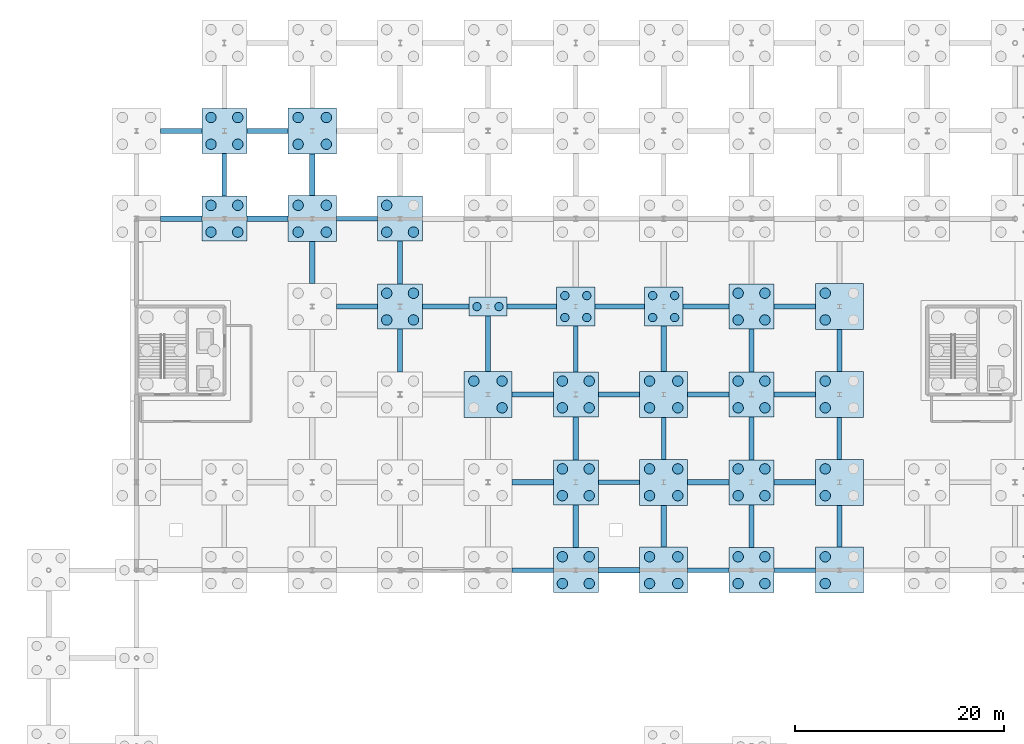
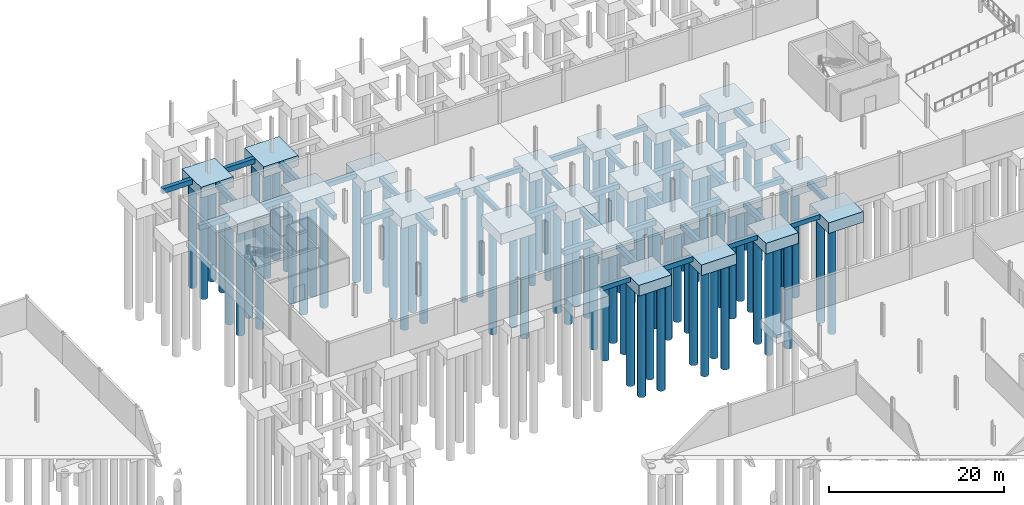
# One storey, part 7 of 51: 84 piles, 65 footings.
"""IFC4 building model written with IfcOpenShell, lengths in metres."""

from ifc_helpers import new_model, si_unit, direction, frame, origin, origin_2d, place, context, subcontext, project, spatial, rectangle, circle, extrude, material, material_profile, profile_set, type_object, element, save


model = new_model("IFC4")

# Units and contexts
model_context = context("Model", 3, precision=1e-05, world=origin(), true_north=direction((0.0, 1.0)))
body_context = subcontext(model_context, "Body", "Model", "MODEL_VIEW")
ifc_project = project(units=[si_unit("LENGTHUNIT", "METRE"), si_unit("AREAUNIT", "SQUARE_METRE"), si_unit("VOLUMEUNIT", "CUBIC_METRE"), si_unit("PLANEANGLEUNIT", "RADIAN"), si_unit("MASSUNIT", "GRAM", prefix="KILO")], contexts=[model_context])

# Site, building, storey
site_placement = place(None, origin())
site = spatial("IfcSite", under=ifc_project, at=site_placement, CompositionType="ELEMENT")
building_placement = place(site_placement, origin())
building = spatial("IfcBuilding", under=site, at=building_placement, Name="Qalvenar Corner Mobility Hub", CompositionType="ELEMENT")
storey_placement = place(building_placement, frame((0.0, 0.0, -4.5)))
storey = spatial("IfcBuildingStorey", under=building, at=storey_placement, Name="B1", CompositionType="ELEMENT", Elevation=-4.5)

# Footings
ifc_material = material(Name="Concrete C40/50", Category="concrete")
footing_type_1 = type_object("IfcFootingType", Name="PC-24X24X12", PredefinedType="PILE_CAP", material=ifc_material)
footing_1_placement = place(storey_placement, frame((92.39990234375, 92.39990234375, -1.5498046875), z_axis=(0.0, 0.0, 1.0), x_axis=(1.0, 0.0, 0.0)))
element("IfcFooting", 1, at=footing_1_placement, inside=storey, type_object=footing_type_1, Name="Pile Cap G12-11", PredefinedType="PILE_CAP", context=body_context, shape_type="SweptSolid", body=[
    extrude(rectangle(XDim=3.60009765625, YDim=1.800048828125, at=origin_2d()), origin(), (0.0, 0.0, 1.0), 1.199951171875),
])
footing_type_2 = type_object("IfcFootingType", Name="PC-28X28X12", PredefinedType="PILE_CAP", material=ifc_material)
for number, where, z_axis, x_axis, name in (
    (2, (100.800048828125, 92.39990234375, -1.5498046875), (0.0, 0.0, 1.0), (1.0, 0.0, 0.0), "Pile Cap G13-11"),
    (3, (109.199951171875, 92.39990234375, -1.5498046875), (0.0, 0.0, 1.0), (1.0, 0.0, 0.0), "Pile Cap G14-11"),
):
    element("IfcFooting", number, at=place(storey_placement, frame(where, z_axis=z_axis, x_axis=x_axis)), inside=storey, type_object=footing_type_2, Name=name, PredefinedType="PILE_CAP", context=body_context, shape_type="SweptSolid", body=[
        extrude(rectangle(XDim=3.699951171875, YDim=3.699951171875, at=origin_2d()), origin(), (0.0, 0.0, 1.0), 1.199951171875),
    ])
footing_type_3 = type_object("IfcFootingType", Name="PC-38X38X15", PredefinedType="PILE_CAP", material=ifc_material)
for number, where, z_axis, x_axis, name in (
    (4, (67.199951171875, 100.800048828125, -1.85009765625), (0.0, 0.0, 1.0), (1.0, 0.0, 0.0), "Pile Cap G9-12"),
    (5, (67.199951171875, 109.199951171875, -1.85009765625), (0.0, 0.0, 1.0), (1.0, 0.0, 0.0), "Pile Cap G9-13"),
    (6, (84.0, 92.39990234375, -1.85009765625), (0.0, 0.0, 1.0), (1.0, 0.0, 0.0), "Pile Cap G11-11"),
    (7, (84.0, 100.800048828125, -1.85009765625), (0.0, 0.0, 1.0), (1.0, 0.0, 0.0), "Pile Cap G11-12"),
    (8, (100.800048828125, 67.199951171875, -1.85009765625), (0.0, 0.0, 1.0), (1.0, 0.0, 0.0), "Pile Cap G13-8"),
    (9, (100.800048828125, 75.60009765625, -1.85009765625), (0.0, 0.0, 1.0), (1.0, 0.0, 0.0), "Pile Cap G13-9"),
    (10, (100.800048828125, 84.0, -1.85009765625), (0.0, 0.0, 1.0), (1.0, 0.0, 0.0), "Pile Cap G13-10"),
    (11, (117.60009765625, 67.199951171875, -1.85009765625), (0.0, 0.0, 1.0), (1.0, 0.0, 0.0), "Pile Cap G15-8"),
    (12, (117.60009765625, 75.60009765625, -1.85009765625), (0.0, 0.0, 1.0), (1.0, 0.0, 0.0), "Pile Cap G15-9"),
    (13, (117.60009765625, 84.0, -1.85009765625), (0.0, 0.0, 1.0), (1.0, 0.0, 0.0), "Pile Cap G15-10"),
    (14, (117.60009765625, 92.39990234375, -1.85009765625), (0.0, 0.0, 1.0), (1.0, 0.0, 0.0), "Pile Cap G15-11"),
):
    element("IfcFooting", number, at=place(storey_placement, frame(where, z_axis=z_axis, x_axis=x_axis)), inside=storey, type_object=footing_type_3, Name=name, PredefinedType="PILE_CAP", context=body_context, shape_type="SweptSolid", body=[
        extrude(rectangle(XDim=4.300048828125, YDim=4.300048828125, at=origin_2d()), origin(), (0.0, 0.0, 1.0), 1.5),
    ])
footing_type_4 = type_object("IfcFootingType", Name="PC-42X32X15", PredefinedType="PILE_CAP", material=ifc_material)
for number, where, z_axis, x_axis, name in (
    (15, (75.60009765625, 100.800048828125, -1.85009765625), (0.0, 0.0, 1.0), (1.0, 0.0, 0.0), "Pile Cap G10-12"),
    (16, (75.60009765625, 109.199951171875, -1.85009765625), (0.0, 0.0, 1.0), (1.0, 0.0, 0.0), "Pile Cap G10-13"),
    (17, (92.39990234375, 84.0, -1.85009765625), (0.0, 0.0, 1.0), (1.0, 0.0, 0.0), "Pile Cap G12-10"),
    (18, (109.199951171875, 67.199951171875, -1.85009765625), (0.0, 0.0, 1.0), (1.0, 0.0, 0.0), "Pile Cap G14-8"),
    (19, (109.199951171875, 75.60009765625, -1.85009765625), (0.0, 0.0, 1.0), (1.0, 0.0, 0.0), "Pile Cap G14-9"),
    (20, (109.199951171875, 84.0, -1.85009765625), (0.0, 0.0, 1.0), (1.0, 0.0, 0.0), "Pile Cap G14-10"),
    (21, (126.0, 67.199951171875, -1.85009765625), (0.0, 0.0, 1.0), (1.0, 0.0, 0.0), "Pile Cap G16-8"),
    (22, (126.0, 75.60009765625, -1.85009765625), (0.0, 0.0, 1.0), (1.0, 0.0, 0.0), "Pile Cap G16-9"),
    (23, (126.0, 84.0, -1.85009765625), (0.0, 0.0, 1.0), (1.0, 0.0, 0.0), "Pile Cap G16-10"),
    (24, (126.0, 92.39990234375, -1.85009765625), (0.0, 0.0, 1.0), (1.0, 0.0, 0.0), "Pile Cap G16-11"),
):
    element("IfcFooting", number, at=place(storey_placement, frame(where, z_axis=z_axis, x_axis=x_axis)), inside=storey, type_object=footing_type_4, Name=name, PredefinedType="PILE_CAP", context=body_context, shape_type="SweptSolid", body=[
        extrude(rectangle(XDim=4.60009765625, YDim=4.39990234375, at=origin_2d()), origin(), (0.0, 0.0, 1.0), 1.5),
    ])

# Piles
ifc_material_profile_1 = material_profile(ifc_material, circle(Radius=0.5, at=origin_2d()), Name="DIA1000")
ifc_profile_set_1 = profile_set([ifc_material_profile_1], Name="Concrete C40/50")
pile_type_1 = type_object("IfcPileType", Name="PILE-1000", PredefinedType="BORED", material=ifc_profile_set_1)
for number, where, z_axis, x_axis, name in (
    (25, (65.919921875, 99.52001953125, -1.699951171875), (0.0, 0.0, -1.0), (1.0, 0.0, 0.0), "Bored Pile G9-12-1"),
    (26, (65.919921875, 102.080078125, -1.699951171875), (0.0, 0.0, -1.0), (1.0, 0.0, 0.0), "Bored Pile G9-12-2"),
    (27, (68.47998046875, 99.52001953125, -1.699951171875), (0.0, 0.0, -1.0), (1.0, 0.0, 0.0), "Bored Pile G9-12-3"),
    (28, (68.47998046875, 102.080078125, -1.699951171875), (0.0, 0.0, -1.0), (1.0, 0.0, 0.0), "Bored Pile G9-12-4"),
    (29, (65.919921875, 107.919921875, -1.699951171875), (0.0, 0.0, -1.0), (1.0, 0.0, 0.0), "Bored Pile G9-13-1"),
    (30, (65.919921875, 110.47998046875, -1.699951171875), (0.0, 0.0, -1.0), (1.0, 0.0, 0.0), "Bored Pile G9-13-2"),
    (31, (68.47998046875, 107.919921875, -1.699951171875), (0.0, 0.0, -1.0), (1.0, 0.0, 0.0), "Bored Pile G9-13-3"),
    (32, (68.47998046875, 110.47998046875, -1.699951171875), (0.0, 0.0, -1.0), (1.0, 0.0, 0.0), "Bored Pile G9-13-4"),
    (33, (74.25, 99.52001953125, -1.699951171875), (0.0, 0.0, -1.0), (1.0, 0.0, 0.0), "Bored Pile G10-12-1"),
    (34, (74.25, 102.080078125, -1.699951171875), (0.0, 0.0, -1.0), (1.0, 0.0, 0.0), "Bored Pile G10-12-2"),
    (35, (76.949951171875, 99.52001953125, -1.699951171875), (0.0, 0.0, -1.0), (1.0, 0.0, 0.0), "Bored Pile G10-12-3"),
    (36, (76.949951171875, 102.080078125, -1.699951171875), (0.0, 0.0, -1.0), (1.0, 0.0, 0.0), "Bored Pile G10-12-4"),
    (37, (74.25, 107.919921875, -1.699951171875), (0.0, 0.0, -1.0), (1.0, 0.0, 0.0), "Bored Pile G10-13-1"),
    (38, (74.25, 110.47998046875, -1.699951171875), (0.0, 0.0, -1.0), (1.0, 0.0, 0.0), "Bored Pile G10-13-2"),
    (39, (76.949951171875, 107.919921875, -1.699951171875), (0.0, 0.0, -1.0), (1.0, 0.0, 0.0), "Bored Pile G10-13-3"),
    (40, (76.949951171875, 110.47998046875, -1.699951171875), (0.0, 0.0, -1.0), (1.0, 0.0, 0.0), "Bored Pile G10-13-4"),
    (41, (82.719970703125, 91.1201171875, -1.699951171875), (0.0, 0.0, -1.0), (1.0, 0.0, 0.0), "Bored Pile G11-11-1"),
    (42, (82.719970703125, 93.679931640625, -1.699951171875), (0.0, 0.0, -1.0), (1.0, 0.0, 0.0), "Bored Pile G11-11-2"),
    (43, (85.280029296875, 91.1201171875, -1.699951171875), (0.0, 0.0, -1.0), (1.0, 0.0, 0.0), "Bored Pile G11-11-3"),
    (44, (85.280029296875, 93.679931640625, -1.699951171875), (0.0, 0.0, -1.0), (1.0, 0.0, 0.0), "Bored Pile G11-11-4"),
    (45, (82.719970703125, 99.52001953125, -1.699951171875), (0.0, 0.0, -1.0), (1.0, 0.0, 0.0), "Bored Pile G11-12-1"),
    (46, (82.719970703125, 102.080078125, -1.699951171875), (0.0, 0.0, -1.0), (1.0, 0.0, 0.0), "Bored Pile G11-12-2"),
    (47, (85.280029296875, 99.52001953125, -1.699951171875), (0.0, 0.0, -1.0), (1.0, 0.0, 0.0), "Bored Pile G11-12-3"),
    (48, (91.050048828125, 85.280029296875, -1.699951171875), (0.0, 0.0, -1.0), (1.0, 0.0, 0.0), "Bored Pile G12-10-2"),
    (49, (93.75, 82.719970703125, -1.699951171875), (0.0, 0.0, -1.0), (1.0, 0.0, 0.0), "Bored Pile G12-10-3"),
    (50, (93.75, 85.280029296875, -1.699951171875), (0.0, 0.0, -1.0), (1.0, 0.0, 0.0), "Bored Pile G12-10-4"),
    (51, (99.52001953125, 65.919921875, -1.699951171875), (0.0, 0.0, -1.0), (1.0, 0.0, 0.0), "Bored Pile G13-8-1"),
    (52, (99.52001953125, 68.47998046875, -1.699951171875), (0.0, 0.0, -1.0), (1.0, 0.0, 0.0), "Bored Pile G13-8-2"),
    (53, (102.080078125, 65.919921875, -1.699951171875), (0.0, 0.0, -1.0), (1.0, 0.0, 0.0), "Bored Pile G13-8-3"),
    (54, (102.080078125, 68.47998046875, -1.699951171875), (0.0, 0.0, -1.0), (1.0, 0.0, 0.0), "Bored Pile G13-8-4"),
    (55, (99.52001953125, 74.320068359375, -1.699951171875), (0.0, 0.0, -1.0), (1.0, 0.0, 0.0), "Bored Pile G13-9-1"),
    (56, (99.52001953125, 76.8798828125, -1.699951171875), (0.0, 0.0, -1.0), (1.0, 0.0, 0.0), "Bored Pile G13-9-2"),
    (57, (102.080078125, 74.320068359375, -1.699951171875), (0.0, 0.0, -1.0), (1.0, 0.0, 0.0), "Bored Pile G13-9-3"),
    (58, (102.080078125, 76.8798828125, -1.699951171875), (0.0, 0.0, -1.0), (1.0, 0.0, 0.0), "Bored Pile G13-9-4"),
    (59, (99.52001953125, 82.719970703125, -1.699951171875), (0.0, 0.0, -1.0), (1.0, 0.0, 0.0), "Bored Pile G13-10-1"),
    (60, (99.52001953125, 85.280029296875, -1.699951171875), (0.0, 0.0, -1.0), (1.0, 0.0, 0.0), "Bored Pile G13-10-2"),
    (61, (102.080078125, 82.719970703125, -1.699951171875), (0.0, 0.0, -1.0), (1.0, 0.0, 0.0), "Bored Pile G13-10-3"),
    (62, (102.080078125, 85.280029296875, -1.699951171875), (0.0, 0.0, -1.0), (1.0, 0.0, 0.0), "Bored Pile G13-10-4"),
    (63, (107.85009765625, 65.919921875, -1.699951171875), (0.0, 0.0, -1.0), (1.0, 0.0, 0.0), "Bored Pile G14-8-1"),
    (64, (107.85009765625, 68.47998046875, -1.699951171875), (0.0, 0.0, -1.0), (1.0, 0.0, 0.0), "Bored Pile G14-8-2"),
    (65, (110.550048828125, 65.919921875, -1.699951171875), (0.0, 0.0, -1.0), (1.0, 0.0, 0.0), "Bored Pile G14-8-3"),
    (66, (110.550048828125, 68.47998046875, -1.699951171875), (0.0, 0.0, -1.0), (1.0, 0.0, 0.0), "Bored Pile G14-8-4"),
    (67, (107.85009765625, 74.320068359375, -1.699951171875), (0.0, 0.0, -1.0), (1.0, 0.0, 0.0), "Bored Pile G14-9-1"),
    (68, (107.85009765625, 76.8798828125, -1.699951171875), (0.0, 0.0, -1.0), (1.0, 0.0, 0.0), "Bored Pile G14-9-2"),
    (69, (110.550048828125, 74.320068359375, -1.699951171875), (0.0, 0.0, -1.0), (1.0, 0.0, 0.0), "Bored Pile G14-9-3"),
    (70, (110.550048828125, 76.8798828125, -1.699951171875), (0.0, 0.0, -1.0), (1.0, 0.0, 0.0), "Bored Pile G14-9-4"),
    (71, (107.85009765625, 82.719970703125, -1.699951171875), (0.0, 0.0, -1.0), (1.0, 0.0, 0.0), "Bored Pile G14-10-1"),
    (72, (107.85009765625, 85.280029296875, -1.699951171875), (0.0, 0.0, -1.0), (1.0, 0.0, 0.0), "Bored Pile G14-10-2"),
    (73, (110.550048828125, 82.719970703125, -1.699951171875), (0.0, 0.0, -1.0), (1.0, 0.0, 0.0), "Bored Pile G14-10-3"),
    (74, (110.550048828125, 85.280029296875, -1.699951171875), (0.0, 0.0, -1.0), (1.0, 0.0, 0.0), "Bored Pile G14-10-4"),
    (75, (116.320068359375, 65.919921875, -1.699951171875), (0.0, 0.0, -1.0), (1.0, 0.0, 0.0), "Bored Pile G15-8-1"),
    (76, (116.320068359375, 68.47998046875, -1.699951171875), (0.0, 0.0, -1.0), (1.0, 0.0, 0.0), "Bored Pile G15-8-2"),
    (77, (118.8798828125, 65.919921875, -1.699951171875), (0.0, 0.0, -1.0), (1.0, 0.0, 0.0), "Bored Pile G15-8-3"),
    (78, (118.8798828125, 68.47998046875, -1.699951171875), (0.0, 0.0, -1.0), (1.0, 0.0, 0.0), "Bored Pile G15-8-4"),
    (79, (116.320068359375, 74.320068359375, -1.699951171875), (0.0, 0.0, -1.0), (1.0, 0.0, 0.0), "Bored Pile G15-9-1"),
    (80, (116.320068359375, 76.8798828125, -1.699951171875), (0.0, 0.0, -1.0), (1.0, 0.0, 0.0), "Bored Pile G15-9-2"),
    (81, (118.8798828125, 74.320068359375, -1.699951171875), (0.0, 0.0, -1.0), (1.0, 0.0, 0.0), "Bored Pile G15-9-3"),
    (82, (118.8798828125, 76.8798828125, -1.699951171875), (0.0, 0.0, -1.0), (1.0, 0.0, 0.0), "Bored Pile G15-9-4"),
    (83, (116.320068359375, 82.719970703125, -1.699951171875), (0.0, 0.0, -1.0), (1.0, 0.0, 0.0), "Bored Pile G15-10-1"),
    (84, (116.320068359375, 85.280029296875, -1.699951171875), (0.0, 0.0, -1.0), (1.0, 0.0, 0.0), "Bored Pile G15-10-2"),
    (85, (118.8798828125, 82.719970703125, -1.699951171875), (0.0, 0.0, -1.0), (1.0, 0.0, 0.0), "Bored Pile G15-10-3"),
    (86, (118.8798828125, 85.280029296875, -1.699951171875), (0.0, 0.0, -1.0), (1.0, 0.0, 0.0), "Bored Pile G15-10-4"),
    (87, (116.320068359375, 91.1201171875, -1.699951171875), (0.0, 0.0, -1.0), (1.0, 0.0, 0.0), "Bored Pile G15-11-1"),
    (88, (116.320068359375, 93.679931640625, -1.699951171875), (0.0, 0.0, -1.0), (1.0, 0.0, 0.0), "Bored Pile G15-11-2"),
    (89, (118.8798828125, 91.1201171875, -1.699951171875), (0.0, 0.0, -1.0), (1.0, 0.0, 0.0), "Bored Pile G15-11-3"),
    (90, (118.8798828125, 93.679931640625, -1.699951171875), (0.0, 0.0, -1.0), (1.0, 0.0, 0.0), "Bored Pile G15-11-4"),
    (91, (124.64990234375, 65.919921875, -1.699951171875), (0.0, 0.0, -1.0), (1.0, 0.0, 0.0), "Bored Pile G16-8-1"),
    (92, (124.64990234375, 68.47998046875, -1.699951171875), (0.0, 0.0, -1.0), (1.0, 0.0, 0.0), "Bored Pile G16-8-2"),
    (93, (124.64990234375, 74.320068359375, -1.699951171875), (0.0, 0.0, -1.0), (1.0, 0.0, 0.0), "Bored Pile G16-9-1"),
    (94, (124.64990234375, 76.8798828125, -1.699951171875), (0.0, 0.0, -1.0), (1.0, 0.0, 0.0), "Bored Pile G16-9-2"),
    (95, (124.64990234375, 82.719970703125, -1.699951171875), (0.0, 0.0, -1.0), (1.0, 0.0, 0.0), "Bored Pile G16-10-1"),
    (96, (124.64990234375, 85.280029296875, -1.699951171875), (0.0, 0.0, -1.0), (1.0, 0.0, 0.0), "Bored Pile G16-10-2"),
    (97, (124.64990234375, 91.1201171875, -1.699951171875), (0.0, 0.0, -1.0), (1.0, 0.0, 0.0), "Bored Pile G16-11-1"),
    (98, (124.64990234375, 93.679931640625, -1.699951171875), (0.0, 0.0, -1.0), (1.0, 0.0, 0.0), "Bored Pile G16-11-2"),
):
    element("IfcPile", number, at=place(storey_placement, frame(where, z_axis=z_axis, x_axis=x_axis)), inside=storey, type_object=pile_type_1, Name=name, PredefinedType="BORED", context=body_context, shape_type="SweptSolid", body=[
        extrude(circle(Radius=0.5, at=origin_2d()), origin(), (0.0, 0.0, 1.0), 14.800048828125),
    ])
ifc_material_profile_2 = material_profile(ifc_material, circle(Radius=0.39990234375, at=origin_2d()), Name="DIA800")
ifc_profile_set_2 = profile_set([ifc_material_profile_2], Name="Concrete C40/50")
pile_type_2 = type_object("IfcPileType", Name="PILE-800", PredefinedType="BORED", material=ifc_profile_set_2)
for number, where, z_axis, x_axis, name in (
    (99, (91.35009765625, 92.39990234375, -1.39990234375), (0.0, 0.0, -1.0), (1.0, 0.0, 0.0), "Bored Pile G12-11-1"),
    (100, (93.449951171875, 92.39990234375, -1.39990234375), (0.0, 0.0, -1.0), (1.0, 0.0, 0.0), "Bored Pile G12-11-2"),
    (101, (99.75, 91.35009765625, -1.39990234375), (0.0, 0.0, -1.0), (1.0, 0.0, 0.0), "Bored Pile G13-11-1"),
    (102, (99.75, 93.449951171875, -1.39990234375), (0.0, 0.0, -1.0), (1.0, 0.0, 0.0), "Bored Pile G13-11-2"),
    (103, (101.85009765625, 91.35009765625, -1.39990234375), (0.0, 0.0, -1.0), (1.0, 0.0, 0.0), "Bored Pile G13-11-3"),
    (104, (101.85009765625, 93.449951171875, -1.39990234375), (0.0, 0.0, -1.0), (1.0, 0.0, 0.0), "Bored Pile G13-11-4"),
    (105, (108.14990234375, 91.35009765625, -1.39990234375), (0.0, 0.0, -1.0), (1.0, 0.0, 0.0), "Bored Pile G14-11-1"),
    (106, (108.14990234375, 93.449951171875, -1.39990234375), (0.0, 0.0, -1.0), (1.0, 0.0, 0.0), "Bored Pile G14-11-2"),
    (107, (110.25, 91.35009765625, -1.39990234375), (0.0, 0.0, -1.0), (1.0, 0.0, 0.0), "Bored Pile G14-11-3"),
    (108, (110.25, 93.449951171875, -1.39990234375), (0.0, 0.0, -1.0), (1.0, 0.0, 0.0), "Bored Pile G14-11-4"),
):
    element("IfcPile", number, at=place(storey_placement, frame(where, z_axis=z_axis, x_axis=x_axis)), inside=storey, type_object=pile_type_2, Name=name, PredefinedType="BORED", context=body_context, shape_type="SweptSolid", body=[
        extrude(circle(Radius=0.39990234375, at=origin_2d()), origin(), (0.0, 0.0, 1.0), 15.10009765625),
    ])

# Footings
ifc_material_profile_3 = material_profile(ifc_material, rectangle(XDim=0.449951171875, YDim=0.64990234375, at=origin_2d()), Name="RC450x650")
ifc_profile_set_3 = profile_set([ifc_material_profile_3], Name="Concrete C40/50")
footing_type_5 = type_object("IfcFootingType", Name="TB-450X650", PredefinedType="FOOTING_BEAM", material=ifc_profile_set_3)
footing_2_placement = place(storey_placement, frame((67.199951171875, 102.949951171875, -0.675048828125), z_axis=(0.0, 1.0, 0.0), x_axis=(-1.0, 0.0, 0.0)))
element("IfcFooting", 109, at=footing_2_placement, inside=storey, type_object=footing_type_5, Name="Foundation Tie Beam TB-132", PredefinedType="FOOTING_BEAM", context=body_context, shape_type="SweptSolid", body=[
    extrude(rectangle(XDim=0.449951171875, YDim=0.64990234375, at=origin_2d()), origin(), (0.0, 0.0, 1.0), 4.10009765625),
])
footing_3_placement = place(storey_placement, frame((77.89990234375, 100.800048828125, -0.675048828125), z_axis=(1.0, 0.0, 0.0), x_axis=(0.0, 1.0, 0.0)))
element("IfcFooting", 110, at=footing_3_placement, inside=storey, type_object=footing_type_5, Name="Foundation Tie Beam TB-153", PredefinedType="FOOTING_BEAM", context=body_context, shape_type="SweptSolid", body=[
    extrude(rectangle(XDim=0.449951171875, YDim=0.64990234375, at=origin_2d()), origin(), (0.0, 0.0, 1.0), 3.9501953125),
])
footing_4_placement = place(storey_placement, frame((84.0, 94.550048828125, -0.675048828125), z_axis=(0.0, 1.0, 0.0), x_axis=(-1.0, 0.0, 0.0)))
element("IfcFooting", 111, at=footing_4_placement, inside=storey, type_object=footing_type_5, Name="Foundation Tie Beam TB-174", PredefinedType="FOOTING_BEAM", context=body_context, shape_type="SweptSolid", body=[
    extrude(rectangle(XDim=0.449951171875, YDim=0.64990234375, at=origin_2d()), origin(), (0.0, 0.0, 1.0), 4.099853515625),
])
footing_5_placement = place(storey_placement, frame((94.699951171875, 67.199951171875, -0.675048828125), z_axis=(1.0, 0.0, 0.0), x_axis=(0.0, 1.0, 0.0)))
element("IfcFooting", 112, at=footing_5_placement, inside=storey, type_object=footing_type_5, Name="Foundation Tie Beam TB-189", PredefinedType="FOOTING_BEAM", context=body_context, shape_type="SweptSolid", body=[
    extrude(rectangle(XDim=0.449951171875, YDim=0.64990234375, at=origin_2d()), origin(), (0.0, 0.0, 1.0), 3.949951171875),
])
footing_6_placement = place(storey_placement, frame((94.199951171875, 92.39990234375, -0.675048828125), z_axis=(1.0, 0.0, 0.0), x_axis=(0.0, 1.0, 0.0)))
element("IfcFooting", 113, at=footing_6_placement, inside=storey, type_object=footing_type_5, Name="Foundation Tie Beam TB-195", PredefinedType="FOOTING_BEAM", context=body_context, shape_type="SweptSolid", body=[
    extrude(rectangle(XDim=0.449951171875, YDim=0.64990234375, at=origin_2d()), origin(), (0.0, 0.0, 1.0), 4.75),
])
footing_7_placement = place(storey_placement, frame((102.949951171875, 75.60009765625, -0.675048828125), z_axis=(1.0, 0.0, 0.0), x_axis=(0.0, 1.0, 0.0)))
element("IfcFooting", 114, at=footing_7_placement, inside=storey, type_object=footing_type_5, Name="Foundation Tie Beam TB-213", PredefinedType="FOOTING_BEAM", context=body_context, shape_type="SweptSolid", body=[
    extrude(rectangle(XDim=0.449951171875, YDim=0.64990234375, at=origin_2d()), origin(), (0.0, 0.0, 1.0), 3.949951171875),
])
footing_8_placement = place(storey_placement, frame((100.800048828125, 86.14990234375, -0.675048828125), z_axis=(0.0, 1.0, 0.0), x_axis=(-1.0, 0.0, 0.0)))
element("IfcFooting", 115, at=footing_8_placement, inside=storey, type_object=footing_type_5, Name="Foundation Tie Beam TB-216", PredefinedType="FOOTING_BEAM", context=body_context, shape_type="SweptSolid", body=[
    extrude(rectangle(XDim=0.449951171875, YDim=0.64990234375, at=origin_2d()), origin(), (0.0, 0.0, 1.0), 4.400146484375),
])
footing_9_placement = place(storey_placement, frame((111.5, 67.199951171875, -0.675048828125), z_axis=(1.0, 0.0, 0.0), x_axis=(0.0, 1.0, 0.0)))
element("IfcFooting", 116, at=footing_9_placement, inside=storey, type_object=footing_type_5, Name="Foundation Tie Beam TB-237", PredefinedType="FOOTING_BEAM", context=body_context, shape_type="SweptSolid", body=[
    extrude(rectangle(XDim=0.449951171875, YDim=0.64990234375, at=origin_2d()), origin(), (0.0, 0.0, 1.0), 3.949951171875),
])
footing_10_placement = place(storey_placement, frame((109.199951171875, 77.800048828125, -0.675048828125), z_axis=(0.0, 1.0, 0.0), x_axis=(-1.0, 0.0, 0.0)))
element("IfcFooting", 117, at=footing_10_placement, inside=storey, type_object=footing_type_5, Name="Foundation Tie Beam TB-240", PredefinedType="FOOTING_BEAM", context=body_context, shape_type="SweptSolid", body=[
    extrude(rectangle(XDim=0.449951171875, YDim=0.64990234375, at=origin_2d()), origin(), (0.0, 0.0, 1.0), 4.0),
])
footing_11_placement = place(storey_placement, frame((111.050048828125, 92.39990234375, -0.675048828125), z_axis=(1.0, 0.0, 0.0), x_axis=(0.0, 1.0, 0.0)))
element("IfcFooting", 118, at=footing_11_placement, inside=storey, type_object=footing_type_5, Name="Foundation Tie Beam TB-243", PredefinedType="FOOTING_BEAM", context=body_context, shape_type="SweptSolid", body=[
    extrude(rectangle(XDim=0.449951171875, YDim=0.64990234375, at=origin_2d()), origin(), (0.0, 0.0, 1.0), 4.39990234375),
])
footing_12_placement = place(storey_placement, frame((119.75, 67.199951171875, -0.675048828125), z_axis=(1.0, 0.0, 0.0), x_axis=(0.0, 1.0, 0.0)))
element("IfcFooting", 119, at=footing_12_placement, inside=storey, type_object=footing_type_5, Name="Foundation Tie Beam TB-261", PredefinedType="FOOTING_BEAM", context=body_context, shape_type="SweptSolid", body=[
    extrude(rectangle(XDim=0.449951171875, YDim=0.64990234375, at=origin_2d()), origin(), (0.0, 0.0, 1.0), 3.949951171875),
])
footing_13_placement = place(storey_placement, frame((117.60009765625, 77.75, -0.675048828125), z_axis=(0.0, 1.0, 0.0), x_axis=(-1.0, 0.0, 0.0)))
element("IfcFooting", 120, at=footing_13_placement, inside=storey, type_object=footing_type_5, Name="Foundation Tie Beam TB-264", PredefinedType="FOOTING_BEAM", context=body_context, shape_type="SweptSolid", body=[
    extrude(rectangle(XDim=0.449951171875, YDim=0.64990234375, at=origin_2d()), origin(), (0.0, 0.0, 1.0), 4.10009765625),
])
footing_14_placement = place(storey_placement, frame((119.75, 92.39990234375, -0.675048828125), z_axis=(1.0, 0.0, 0.0), x_axis=(0.0, 1.0, 0.0)))
element("IfcFooting", 121, at=footing_14_placement, inside=storey, type_object=footing_type_5, Name="Foundation Tie Beam TB-267", PredefinedType="FOOTING_BEAM", context=body_context, shape_type="SweptSolid", body=[
    extrude(rectangle(XDim=0.449951171875, YDim=0.64990234375, at=origin_2d()), origin(), (0.0, 0.0, 1.0), 3.949951171875),
])
footing_15_placement = place(storey_placement, frame((126.0, 77.800048828125, -0.675048828125), z_axis=(0.0, 1.0, 0.0), x_axis=(-1.0, 0.0, 0.0)))
element("IfcFooting", 122, at=footing_15_placement, inside=storey, type_object=footing_type_5, Name="Foundation Tie Beam TB-285", PredefinedType="FOOTING_BEAM", context=body_context, shape_type="SweptSolid", body=[
    extrude(rectangle(XDim=0.449951171875, YDim=0.64990234375, at=origin_2d()), origin(), (0.0, 0.0, 1.0), 4.0),
])
ifc_material_profile_4 = material_profile(ifc_material, rectangle(XDim=0.5, YDim=0.699951171875, at=origin_2d()), Name="RC500x700")
ifc_profile_set_4 = profile_set([ifc_material_profile_4], Name="Concrete C40/50")
footing_type_6 = type_object("IfcFootingType", Name="TB-500X700", PredefinedType="FOOTING_BEAM", material=ifc_profile_set_4)
for number, where, z_axis, x_axis, name in (
    (123, (61.10009765625, 100.800048828125, -0.699951171875), (1.0, 0.0, 0.0), (0.0, 1.0, 0.0), "Foundation Tie Beam TB-116"),
    (124, (61.10009765625, 109.199951171875, -0.699951171875), (1.0, 0.0, 0.0), (0.0, 1.0, 0.0), "Foundation Tie Beam TB-118"),
    (125, (69.35009765625, 100.800048828125, -0.699951171875), (1.0, 0.0, 0.0), (0.0, 1.0, 0.0), "Foundation Tie Beam TB-131"),
    (126, (69.35009765625, 109.199951171875, -0.699951171875), (1.0, 0.0, 0.0), (0.0, 1.0, 0.0), "Foundation Tie Beam TB-133"),
):
    element("IfcFooting", number, at=place(storey_placement, frame(where, z_axis=z_axis, x_axis=x_axis)), inside=storey, type_object=footing_type_6, Name=name, PredefinedType="FOOTING_BEAM", context=body_context, shape_type="SweptSolid", body=[
        extrude(rectangle(XDim=0.5, YDim=0.699951171875, at=origin_2d()), origin(), (0.0, 0.0, 1.0), 3.949951171875),
    ])
footing_16_placement = place(storey_placement, frame((77.89990234375, 92.39990234375, -0.699951171875), z_axis=(1.0, 0.0, 0.0), x_axis=(0.0, 1.0, 0.0)))
element("IfcFooting", 127, at=footing_16_placement, inside=storey, type_object=footing_type_6, Name="Foundation Tie Beam TB-151", PredefinedType="FOOTING_BEAM", context=body_context, shape_type="SweptSolid", body=[
    extrude(rectangle(XDim=0.5, YDim=0.699951171875, at=origin_2d()), origin(), (0.0, 0.0, 1.0), 3.9501953125),
])
for number, where, z_axis, x_axis, name in (
    (128, (75.60009765625, 94.60009765625, -0.699951171875), (0.0, 1.0, 0.0), (-1.0, 0.0, 0.0), "Foundation Tie Beam TB-152"),
    (129, (75.60009765625, 103.0, -0.699951171875), (0.0, 1.0, 0.0), (-1.0, 0.0, 0.0), "Foundation Tie Beam TB-154"),
):
    element("IfcFooting", number, at=place(storey_placement, frame(where, z_axis=z_axis, x_axis=x_axis)), inside=storey, type_object=footing_type_6, Name=name, PredefinedType="FOOTING_BEAM", context=body_context, shape_type="SweptSolid", body=[
        extrude(rectangle(XDim=0.5, YDim=0.699951171875, at=origin_2d()), origin(), (0.0, 0.0, 1.0), 4.0),
    ])
footing_17_placement = place(storey_placement, frame((84.0, 86.14990234375, -0.699951171875), z_axis=(0.0, 1.0, 0.0), x_axis=(-1.0, 0.0, 0.0)))
element("IfcFooting", 130, at=footing_17_placement, inside=storey, type_object=footing_type_6, Name="Foundation Tie Beam TB-172", PredefinedType="FOOTING_BEAM", context=body_context, shape_type="SweptSolid", body=[
    extrude(rectangle(XDim=0.5, YDim=0.699951171875, at=origin_2d()), origin(), (0.0, 0.0, 1.0), 4.10009765625),
])
footing_18_placement = place(storey_placement, frame((86.14990234375, 92.39990234375, -0.699951171875), z_axis=(1.0, 0.0, 0.0), x_axis=(0.0, 1.0, 0.0)))
element("IfcFooting", 131, at=footing_18_placement, inside=storey, type_object=footing_type_6, Name="Foundation Tie Beam TB-173", PredefinedType="FOOTING_BEAM", context=body_context, shape_type="SweptSolid", body=[
    extrude(rectangle(XDim=0.5, YDim=0.699951171875, at=origin_2d()), origin(), (0.0, 0.0, 1.0), 4.4501953125),
])
for number, where, z_axis, x_axis, name in (
    (132, (94.699951171875, 75.60009765625, -0.699951171875), (1.0, 0.0, 0.0), (0.0, 1.0, 0.0), "Foundation Tie Beam TB-191"),
    (133, (94.699951171875, 84.0, -0.699951171875), (1.0, 0.0, 0.0), (0.0, 1.0, 0.0), "Foundation Tie Beam TB-193"),
):
    element("IfcFooting", number, at=place(storey_placement, frame(where, z_axis=z_axis, x_axis=x_axis)), inside=storey, type_object=footing_type_6, Name=name, PredefinedType="FOOTING_BEAM", context=body_context, shape_type="SweptSolid", body=[
        extrude(rectangle(XDim=0.5, YDim=0.699951171875, at=origin_2d()), origin(), (0.0, 0.0, 1.0), 3.949951171875),
    ])
footing_19_placement = place(storey_placement, frame((92.39990234375, 86.199951171875, -0.699951171875), z_axis=(0.0, 1.0, 0.0), x_axis=(-1.0, 0.0, 0.0)))
element("IfcFooting", 134, at=footing_19_placement, inside=storey, type_object=footing_type_6, Name="Foundation Tie Beam TB-194", PredefinedType="FOOTING_BEAM", context=body_context, shape_type="SweptSolid", body=[
    extrude(rectangle(XDim=0.5, YDim=0.699951171875, at=origin_2d()), origin(), (0.0, 0.0, 1.0), 5.300048828125),
])
footing_20_placement = place(storey_placement, frame((102.949951171875, 67.199951171875, -0.699951171875), z_axis=(1.0, 0.0, 0.0), x_axis=(0.0, 1.0, 0.0)))
element("IfcFooting", 135, at=footing_20_placement, inside=storey, type_object=footing_type_6, Name="Foundation Tie Beam TB-211", PredefinedType="FOOTING_BEAM", context=body_context, shape_type="SweptSolid", body=[
    extrude(rectangle(XDim=0.5, YDim=0.699951171875, at=origin_2d()), origin(), (0.0, 0.0, 1.0), 3.949951171875),
])
footing_21_placement = place(storey_placement, frame((100.800048828125, 69.35009765625, -0.699951171875), z_axis=(0.0, 1.0, 0.0), x_axis=(-1.0, 0.0, 0.0)))
element("IfcFooting", 136, at=footing_21_placement, inside=storey, type_object=footing_type_6, Name="Foundation Tie Beam TB-212", PredefinedType="FOOTING_BEAM", context=body_context, shape_type="SweptSolid", body=[
    extrude(rectangle(XDim=0.5, YDim=0.699951171875, at=origin_2d()), origin(), (0.0, 0.0, 1.0), 4.099853515625),
])
footing_22_placement = place(storey_placement, frame((100.800048828125, 77.75, -0.699951171875), z_axis=(0.0, 1.0, 0.0), x_axis=(-1.0, 0.0, 0.0)))
element("IfcFooting", 137, at=footing_22_placement, inside=storey, type_object=footing_type_6, Name="Foundation Tie Beam TB-214", PredefinedType="FOOTING_BEAM", context=body_context, shape_type="SweptSolid", body=[
    extrude(rectangle(XDim=0.5, YDim=0.699951171875, at=origin_2d()), origin(), (0.0, 0.0, 1.0), 4.10009765625),
])
footing_23_placement = place(storey_placement, frame((102.949951171875, 84.0, -0.699951171875), z_axis=(1.0, 0.0, 0.0), x_axis=(0.0, 1.0, 0.0)))
element("IfcFooting", 138, at=footing_23_placement, inside=storey, type_object=footing_type_6, Name="Foundation Tie Beam TB-215", PredefinedType="FOOTING_BEAM", context=body_context, shape_type="SweptSolid", body=[
    extrude(rectangle(XDim=0.5, YDim=0.699951171875, at=origin_2d()), origin(), (0.0, 0.0, 1.0), 3.949951171875),
])
footing_24_placement = place(storey_placement, frame((102.64990234375, 92.39990234375, -0.699951171875), z_axis=(1.0, 0.0, 0.0), x_axis=(0.0, 1.0, 0.0)))
element("IfcFooting", 139, at=footing_24_placement, inside=storey, type_object=footing_type_6, Name="Foundation Tie Beam TB-217", PredefinedType="FOOTING_BEAM", context=body_context, shape_type="SweptSolid", body=[
    extrude(rectangle(XDim=0.5, YDim=0.699951171875, at=origin_2d()), origin(), (0.0, 0.0, 1.0), 4.7001953125),
])
footing_25_placement = place(storey_placement, frame((109.199951171875, 69.39990234375, -0.699951171875), z_axis=(0.0, 1.0, 0.0), x_axis=(-1.0, 0.0, 0.0)))
element("IfcFooting", 140, at=footing_25_placement, inside=storey, type_object=footing_type_6, Name="Foundation Tie Beam TB-238", PredefinedType="FOOTING_BEAM", context=body_context, shape_type="SweptSolid", body=[
    extrude(rectangle(XDim=0.5, YDim=0.699951171875, at=origin_2d()), origin(), (0.0, 0.0, 1.0), 4.0),
])
for number, where, z_axis, x_axis, name in (
    (141, (111.5, 75.60009765625, -0.699951171875), (1.0, 0.0, 0.0), (0.0, 1.0, 0.0), "Foundation Tie Beam TB-239"),
    (142, (111.5, 84.0, -0.699951171875), (1.0, 0.0, 0.0), (0.0, 1.0, 0.0), "Foundation Tie Beam TB-241"),
):
    element("IfcFooting", number, at=place(storey_placement, frame(where, z_axis=z_axis, x_axis=x_axis)), inside=storey, type_object=footing_type_6, Name=name, PredefinedType="FOOTING_BEAM", context=body_context, shape_type="SweptSolid", body=[
        extrude(rectangle(XDim=0.5, YDim=0.699951171875, at=origin_2d()), origin(), (0.0, 0.0, 1.0), 3.949951171875),
    ])
footing_26_placement = place(storey_placement, frame((109.199951171875, 86.199951171875, -0.699951171875), z_axis=(0.0, 1.0, 0.0), x_axis=(-1.0, 0.0, 0.0)))
element("IfcFooting", 143, at=footing_26_placement, inside=storey, type_object=footing_type_6, Name="Foundation Tie Beam TB-242", PredefinedType="FOOTING_BEAM", context=body_context, shape_type="SweptSolid", body=[
    extrude(rectangle(XDim=0.5, YDim=0.699951171875, at=origin_2d()), origin(), (0.0, 0.0, 1.0), 4.35009765625),
])
footing_27_placement = place(storey_placement, frame((117.60009765625, 69.35009765625, -0.699951171875), z_axis=(0.0, 1.0, 0.0), x_axis=(-1.0, 0.0, 0.0)))
element("IfcFooting", 144, at=footing_27_placement, inside=storey, type_object=footing_type_6, Name="Foundation Tie Beam TB-262", PredefinedType="FOOTING_BEAM", context=body_context, shape_type="SweptSolid", body=[
    extrude(rectangle(XDim=0.5, YDim=0.699951171875, at=origin_2d()), origin(), (0.0, 0.0, 1.0), 4.099853515625),
])
for number, where, z_axis, x_axis, name in (
    (145, (119.75, 75.60009765625, -0.699951171875), (1.0, 0.0, 0.0), (0.0, 1.0, 0.0), "Foundation Tie Beam TB-263"),
    (146, (119.75, 84.0, -0.699951171875), (1.0, 0.0, 0.0), (0.0, 1.0, 0.0), "Foundation Tie Beam TB-265"),
):
    element("IfcFooting", number, at=place(storey_placement, frame(where, z_axis=z_axis, x_axis=x_axis)), inside=storey, type_object=footing_type_6, Name=name, PredefinedType="FOOTING_BEAM", context=body_context, shape_type="SweptSolid", body=[
        extrude(rectangle(XDim=0.5, YDim=0.699951171875, at=origin_2d()), origin(), (0.0, 0.0, 1.0), 3.949951171875),
    ])
footing_28_placement = place(storey_placement, frame((117.60009765625, 86.14990234375, -0.699951171875), z_axis=(0.0, 1.0, 0.0), x_axis=(-1.0, 0.0, 0.0)))
element("IfcFooting", 147, at=footing_28_placement, inside=storey, type_object=footing_type_6, Name="Foundation Tie Beam TB-266", PredefinedType="FOOTING_BEAM", context=body_context, shape_type="SweptSolid", body=[
    extrude(rectangle(XDim=0.5, YDim=0.699951171875, at=origin_2d()), origin(), (0.0, 0.0, 1.0), 4.10009765625),
])
for number, where, z_axis, x_axis, name in (
    (148, (126.0, 69.39990234375, -0.699951171875), (0.0, 1.0, 0.0), (-1.0, 0.0, 0.0), "Foundation Tie Beam TB-283"),
    (149, (126.0, 86.199951171875, -0.699951171875), (0.0, 1.0, 0.0), (-1.0, 0.0, 0.0), "Foundation Tie Beam TB-286"),
):
    element("IfcFooting", number, at=place(storey_placement, frame(where, z_axis=z_axis, x_axis=x_axis)), inside=storey, type_object=footing_type_6, Name=name, PredefinedType="FOOTING_BEAM", context=body_context, shape_type="SweptSolid", body=[
        extrude(rectangle(XDim=0.5, YDim=0.699951171875, at=origin_2d()), origin(), (0.0, 0.0, 1.0), 4.0),
    ])

save(model, "model.ifc")
